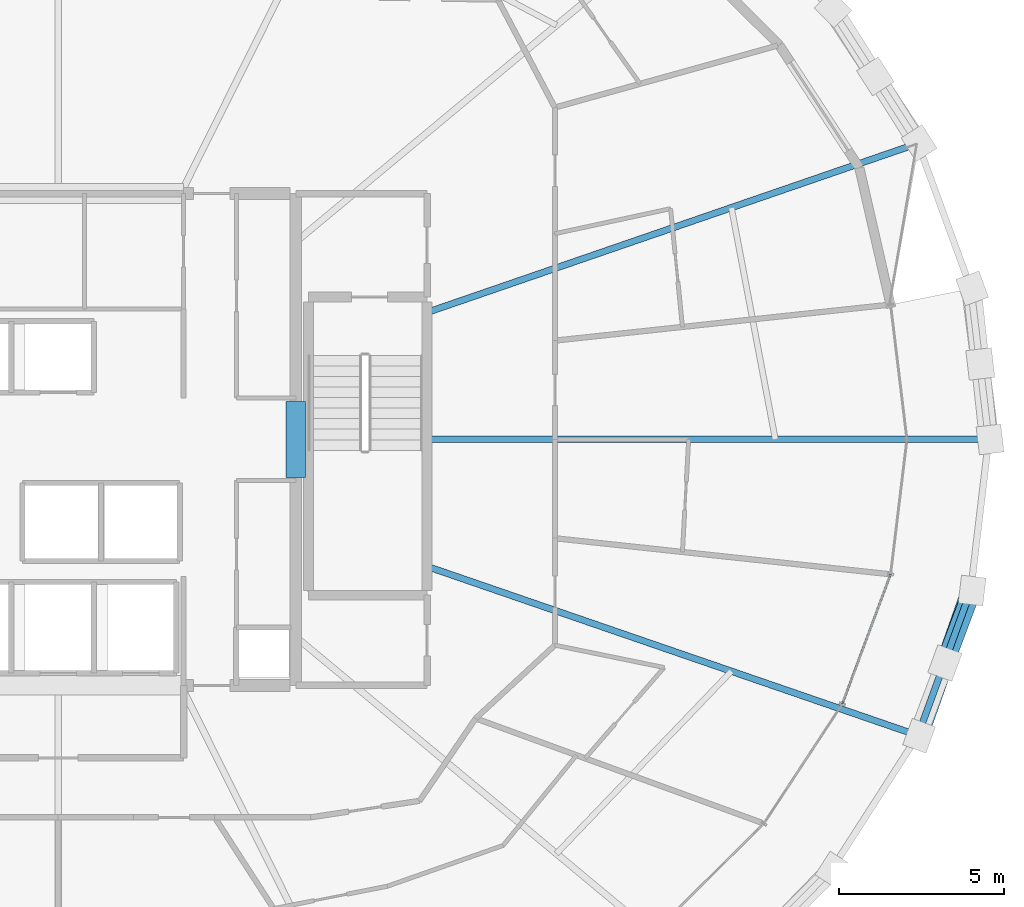
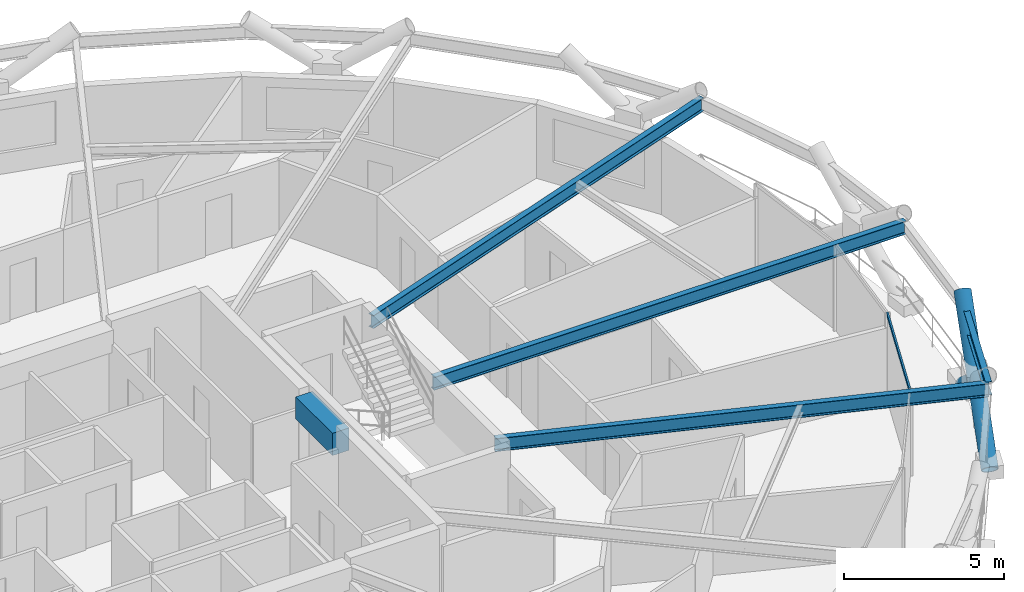
# One storey, part 10 of 19: 5 beams, 3 members, 1 element without a shape of its own.
"""IFC4 building model written with IfcOpenShell, lengths in metres."""

import ifcopenshell
import ifcopenshell.guid

model = None  # the IFC model being written
_history = None  # IfcOwnerHistory: only IFC2X3 demands one
_inside = {}  # id of a spatial element -> (the spatial element, [elements in it])
_under = {}  # id of a project, library or spatial element -> (it, [spatial elements below it])
_declared = {}  # id of a project -> (the project, [libraries it declares])
_typed = {}  # id of a type object -> (the type object, [elements of that type])
_made_of = {}  # id of a material, layer set ... -> (it, [elements and type objects made of it])


def new_model(schema):
    """Start an empty IFC model of exactly this schema.

    Asked for "IFC4X3", IfcOpenShell would pick the latest addendum, in which some entities
    have other attributes; the version numbers below select the first issue.
    IFC2X3 requires an IfcOwnerHistory on every rooted entity: one is made here for all.
    """
    global model, _history
    if schema == "IFC4X3":
        model = ifcopenshell.file(schema_version=(4, 3, 0, 0))
    else:
        model = ifcopenshell.file(schema=schema)
    _inside.clear()
    _under.clear()
    _declared.clear()
    _typed.clear()
    _made_of.clear()
    _history = None
    if model.schema == "IFC2X3":
        org = make("IfcOrganization", Name="unknown")
        user = make(
            "IfcPersonAndOrganization",
            ThePerson=make("IfcPerson", FamilyName="unknown"),
            TheOrganization=org,
        )
        app = make(
            "IfcApplication",
            ApplicationDeveloper=org,
            Version="unknown",
            ApplicationFullName="unknown",
            ApplicationIdentifier="unknown",
        )
        _history = make(
            "IfcOwnerHistory",
            OwningUser=user,
            OwningApplication=app,
            ChangeAction="ADDED",
            CreationDate=0,
        )
    return model


def make(cls, **values):
    """One entity of the class cls with the attributes given. An attribute that is None is left unset."""
    return model.create_entity(
        cls, **{name: value for name, value in values.items() if value is not None}
    )


def rooted(cls, **values):
    """An entity with a GlobalId (a new one), such as an element, a storey or a relation."""
    return make(cls, GlobalId=ifcopenshell.guid.new(), OwnerHistory=_history, **values)


def si_unit(unit_type, name, prefix=None):
    """IfcSIUnit, for example si_unit("LENGTHUNIT", "METRE", prefix="MILLI")."""
    return make("IfcSIUnit", UnitType=unit_type, Prefix=prefix, Name=name)


def assignment(units):
    """IfcUnitAssignment: the units of a project."""
    return None if units is None else make("IfcUnitAssignment", Units=units)


def point(xyz):
    """IfcCartesianPoint."""
    return None if xyz is None else make("IfcCartesianPoint", Coordinates=xyz)


def direction(xyz):
    """IfcDirection."""
    return None if xyz is None else make("IfcDirection", DirectionRatios=xyz)


def frame(location, z_axis=None, x_axis=None):
    """IfcAxis2Placement3D, a coordinate frame: its origin and axes. An axis left out is left unset."""
    return make(
        "IfcAxis2Placement3D",
        Location=point(location),
        Axis=direction(z_axis),
        RefDirection=direction(x_axis),
    )


def frame_2d(location, x_axis=None):
    """IfcAxis2Placement2D, a coordinate frame in the plane: its origin and x axis."""
    return make(
        "IfcAxis2Placement2D", Location=point(location), RefDirection=direction(x_axis)
    )


def origin():
    """The frame at (0, 0, 0) with its axes left unset."""
    return frame((0.0, 0.0, 0.0))


def origin_2d():
    """The frame at (0, 0) in the plane with its x axis left unset."""
    return frame_2d((0.0, 0.0))


def place(relative_to, where):
    """IfcLocalPlacement: puts the frame where relative to a parent placement (None: the world)."""
    return make(
        "IfcLocalPlacement", PlacementRelTo=relative_to, RelativePlacement=where
    )


def context(
    kind, dimensions, precision=None, world=None, true_north=None, identifier=None
):
    """IfcGeometricRepresentationContext, for example the 3D "Model" context."""
    return make(
        "IfcGeometricRepresentationContext",
        ContextIdentifier=identifier,
        ContextType=kind,
        CoordinateSpaceDimension=dimensions,
        Precision=precision,
        WorldCoordinateSystem=world,
        TrueNorth=true_north,
    )


def subcontext(parent, identifier, kind, view, scale=None):
    """IfcGeometricRepresentationSubContext, for example "Body" below "Model"."""
    return make(
        "IfcGeometricRepresentationSubContext",
        ContextIdentifier=identifier,
        ContextType=kind,
        ParentContext=parent,
        TargetScale=scale,
        TargetView=view,
    )


def project(units=None, contexts=None):
    """IfcProject with its units and contexts."""
    return rooted(
        "IfcProject",
        Name="project",
        RepresentationContexts=contexts,
        UnitsInContext=assignment(units),
    )


def spatial(cls, under=None, at=None, **own):
    """A site, building, storey or space (cls), placed at a placement, below another one or the project."""
    s = rooted(cls, ObjectPlacement=at, **own)
    if under is not None:
        _under.setdefault(under.id(), (under, []))[1].append(s)
    return s


def profile(cls, at=None, kind="AREA", **sizes):
    """A parametric profile (cls). Its sizes go by their IFC names, for example OverallWidth=200.0."""
    return make(cls, ProfileType=kind, Position=at, **sizes)


def rectangle(**sizes):
    """IfcRectangleProfileDef."""
    return profile("IfcRectangleProfileDef", **sizes)


def hollow_rectangle(**sizes):
    """IfcRectangleHollowProfileDef."""
    return profile("IfcRectangleHollowProfileDef", **sizes)


def hollow_circle(**sizes):
    """IfcCircleHollowProfileDef."""
    return profile("IfcCircleHollowProfileDef", **sizes)


def i_section(**sizes):
    """IfcIShapeProfileDef."""
    return profile("IfcIShapeProfileDef", **sizes)


def extrude(swept, where, along, depth):
    """IfcExtrudedAreaSolid: the profile swept, set in the frame where, extruded along a direction by depth."""
    return make(
        "IfcExtrudedAreaSolid",
        SweptArea=swept,
        Position=where,
        ExtrudedDirection=direction(along),
        Depth=depth,
    )


def shape(context_of_items, identifier, shape_type, items):
    """IfcShapeRepresentation: the items that make up one representation, for example the "Body"."""
    return make(
        "IfcShapeRepresentation",
        ContextOfItems=context_of_items,
        RepresentationIdentifier=identifier,
        RepresentationType=shape_type,
        Items=items,
    )


def material(Name=None, Category=None):
    """IfcMaterial."""
    return make("IfcMaterial", Name=Name, Category=Category)


def layer(
    of_material, thickness, ventilated=None, Name=None, Category=None, Priority=None
):
    """IfcMaterialLayer: one layer of a wall or slab, of a material (None: an air gap)."""
    return make(
        "IfcMaterialLayer",
        Material=of_material,
        LayerThickness=thickness,
        IsVentilated=ventilated,
        Name=Name,
        Category=Category,
        Priority=Priority,
    )


def layer_set(layers, Name=None):
    """IfcMaterialLayerSet."""
    return make("IfcMaterialLayerSet", MaterialLayers=layers, LayerSetName=Name)


def material_profile(
    of_material, cross_section, Name=None, Category=None, Priority=None
):
    """IfcMaterialProfile: a cross section and its material."""
    return make(
        "IfcMaterialProfile",
        Name=Name,
        Material=of_material,
        Profile=cross_section,
        Priority=Priority,
        Category=Category,
    )


def profile_set(profiles, Name=None, composite=None):
    """IfcMaterialProfileSet."""
    return make(
        "IfcMaterialProfileSet",
        Name=Name,
        MaterialProfiles=profiles,
        CompositeProfile=composite,
    )


def made_of(thing, what):
    """Note that an element or type object is made of a material, layer set ...; save() writes the relation."""
    if what is not None:
        _made_of.setdefault(what.id(), (what, []))[1].append(thing)
    return thing


def type_object(cls, material=None, **own):
    """A type object (cls), such as IfcWallType, which elements share."""
    return made_of(rooted(cls, **own), material)


def element(
    cls,
    number,
    at=None,
    inside=None,
    cuts=None,
    type_object=None,
    material=None,
    context=None,
    identifier="Body",
    shape_type=None,
    held_by="IfcProductDefinitionShape",
    body=None,
    shapes=None,
    **own,
):
    """One element of the class cls, such as IfcWall. Its Tag is "e" and its number.

    at: its placement. inside: the storey or other place that contains it. cuts: it is an
    opening in that element (IfcRelVoidsElement). A single representation is given by context,
    identifier, shape_type and body (its items); several are given by shapes. held_by: the class
    of the entity that holds the representations. save() writes the other relations.
    """
    e = rooted(cls, Tag="e%d" % number, ObjectPlacement=at, **own)
    if body is not None:
        shapes = [shape(context, identifier, shape_type, body)]
    if shapes is not None:
        e.Representation = make(held_by, Representations=shapes)
    if inside is not None:
        _inside.setdefault(inside.id(), (inside, []))[1].append(e)
    if cuts is not None:
        rooted(
            "IfcRelVoidsElement", RelatingBuildingElement=cuts, RelatedOpeningElement=e
        )
    if type_object is not None:
        _typed.setdefault(type_object.id(), (type_object, []))[1].append(e)
    return made_of(e, material)


def aggregate(whole, parts):
    """IfcRelAggregates: a whole, such as a stair, and the parts it consists of."""
    return rooted("IfcRelAggregates", RelatingObject=whole, RelatedObjects=parts)


def save(model, path):
    """Write the relations noted so far, then the file.

    IfcRelAggregates (storeys below a building ...), IfcRelContainedInSpatialStructure (elements
    in a storey), IfcRelDefinesByType, IfcRelAssociatesMaterial and IfcRelDeclares: one each for
    every whole, place, type object, material and project.
    """
    for whole, parts in _under.values():
        aggregate(whole, parts)
    for where, things in _inside.values():
        rooted(
            "IfcRelContainedInSpatialStructure",
            RelatedElements=things,
            RelatingStructure=where,
        )
    for kind, things in _typed.values():
        rooted("IfcRelDefinesByType", RelatedObjects=things, RelatingType=kind)
    for what, things in _made_of.values():
        rooted("IfcRelAssociatesMaterial", RelatedObjects=things, RelatingMaterial=what)
    for by, libraries in _declared.values():
        rooted("IfcRelDeclares", RelatingContext=by, RelatedDefinitions=libraries)
    model.write(path)


model = new_model("IFC4")

# Units and contexts
model_context = context("Model", 3, precision=1e-05, world=origin(), true_north=direction((0.0, 1.0)))
body_context = subcontext(model_context, "Body", "Model", "MODEL_VIEW")
ifc_project = project(units=[si_unit("LENGTHUNIT", "METRE"), si_unit("AREAUNIT", "SQUARE_METRE"), si_unit("VOLUMEUNIT", "CUBIC_METRE"), si_unit("PLANEANGLEUNIT", "RADIAN"), si_unit("MASSUNIT", "GRAM", prefix="KILO")], contexts=[model_context])

# Site, building, storey
site_placement = place(None, origin())
site = spatial("IfcSite", under=ifc_project, at=site_placement, CompositionType="ELEMENT")
building_placement = place(site_placement, origin())
building = spatial("IfcBuilding", under=site, at=building_placement, Name="Veldorina Hangang Commons", CompositionType="ELEMENT")
storey_placement = place(building_placement, frame((0.0, 0.0, 156.800048828125)))
storey = spatial("IfcBuildingStorey", under=building, at=storey_placement, Name="L40", CompositionType="ELEMENT", Elevation=156.800048828125)

# Beams
ifc_material_1 = material(Name="Concrete C60/75", Category="concrete")
ifc_material_profile_1 = material_profile(ifc_material_1, rectangle(XDim=0.60009765625, YDim=0.85009765625, at=origin_2d()), Name="RC-CB-600x850")
ifc_profile_set_1 = profile_set([ifc_material_profile_1], Name="Concrete C60/75")
beam_type_1 = type_object("IfcBeamType", Name="BM-CB850", PredefinedType="LINTEL", material=ifc_profile_set_1)
beam_1_placement = place(storey_placement, frame((39.199951171875, 22.85009765625, 2.925048828125), z_axis=(0.0, 1.0, 0.0), x_axis=(-1.0, 0.0, 0.0)))
element("IfcBeam", 1, at=beam_1_placement, inside=storey, type_object=beam_type_1, Name="L40 E core coupling lintel beam", PredefinedType="LINTEL", context=body_context, shape_type="SweptSolid", body=[
    extrude(rectangle(XDim=0.60009765625, YDim=0.85009765625, at=origin_2d()), origin(), (0.0, 0.0, 1.0), 2.2998046875),
])
ifc_material_2 = material(Name="Steel SM420-TMC", Category="steel")
ifc_material_profile_2 = material_profile(ifc_material_2, i_section(OverallWidth=0.199951171875, OverallDepth=0.5, WebThickness=0.010009765625, FlangeThickness=0.01611328125, FilletRadius=0.01611328125, at=origin_2d()), Name="H-500x200x10x16")
ifc_profile_set_2 = profile_set([ifc_material_profile_2], Name="Steel SM420-TMC")
beam_type_2 = type_object("IfcBeamType", Name="BM-FG500", PredefinedType="BEAM", material=ifc_profile_set_2)
beam_2_placement = place(storey_placement, frame((43.179931640625, 24.0, 3.099853515625), z_axis=(1.0, 0.0, 0.0), x_axis=(0.0, 1.0, 0.0)))
element("IfcBeam", 2, at=beam_2_placement, inside=storey, type_object=beam_type_2, Name="L40 radial floor girder 01", PredefinedType="BEAM", context=body_context, shape_type="SweptSolid", body=[
    extrude(i_section(OverallWidth=0.199951171875, OverallDepth=0.5, WebThickness=0.010009765625, FlangeThickness=0.01611328125, FilletRadius=0.01611328125, at=origin_2d()), origin(), (0.0, 0.0, 1.0), 17.015380859375),
])
for number, where, z_axis, x_axis, name in (
    (3, (43.179931640625, 27.849365234375, 3.099853515625), (0.945527793792, 0.32554138165, 0.0), (-0.32554138165, 0.945527793792, 0.0), "L40 radial floor girder 02"),
    (4, (43.179931640625, 20.150634765625, 3.099853515625), (0.945527793792, -0.32554138165, 0.0), (0.32554138165, 0.945527793792, 0.0), "L40 radial floor girder 16"),
):
    element("IfcBeam", number, at=place(storey_placement, frame(where, z_axis=z_axis, x_axis=x_axis)), inside=storey, type_object=beam_type_2, Name=name, PredefinedType="BEAM", context=body_context, shape_type="SweptSolid", body=[
        extrude(i_section(OverallWidth=0.199951171875, OverallDepth=0.5, WebThickness=0.010009765625, FlangeThickness=0.01611328125, FilletRadius=0.01611328125, at=origin_2d()), origin(), (0.0, 0.0, 1.0), 15.725830078125),
    ])
ifc_material_profile_3 = material_profile(ifc_material_2, i_section(OverallWidth=0.199951171875, OverallDepth=0.5, WebThickness=0.010009765625, FlangeThickness=0.01611328125, FilletRadius=0.01611328125, at=origin_2d()), Name="H-500x200x10x16")
ifc_profile_set_3 = profile_set([ifc_material_profile_3], Name="Steel SM420-TMC")
beam_type_3 = type_object("IfcBeamType", Name="BM-RB500", PredefinedType="BEAM", material=ifc_profile_set_3)
beam_3_placement = place(storey_placement, frame((58.049072265625, 15.03125, 3.099853515625), z_axis=(0.342831836601, 0.939396791464, 0.0), x_axis=(-0.939396791464, 0.342831836601, 0.0)))
element("IfcBeam", 5, at=beam_3_placement, inside=storey, type_object=beam_type_3, Name="L40 perimeter hoop ring beam 30", PredefinedType="BEAM", context=body_context, shape_type="SweptSolid", body=[
    extrude(i_section(OverallWidth=0.199951171875, OverallDepth=0.5, WebThickness=0.010009765625, FlangeThickness=0.01611328125, FilletRadius=0.01611328125, at=origin_2d()), origin(), (0.0, 0.0, 1.0), 4.68017578125),
])

# Curtain wall, member
ifc_material_3 = material(Name="Glass Low-E Triple IGU", Category="glass")
ifc_layer = layer(ifc_material_3, 0.179931640625)
ifc_layer_set = layer_set([ifc_layer], Name="Glass Low-E Triple IGU")
curtain_wall_type = type_object("IfcCurtainWallType", Name="CW-SYS-Z2", PredefinedType="NOTDEFINED", material=ifc_layer_set)
curtain_wall_placement = place(storey_placement, origin())
curtain_wall = element("IfcCurtainWall", 6, at=curtain_wall_placement, inside=storey, type_object=curtain_wall_type, Name="L40 unitised curtain wall CW-L40-R2", PredefinedType="NOTDEFINED")
ifc_material_4 = material(Name="Aluminium Anodized AA6063-T6", Category="aluminium")
ifc_material_profile_4 = material_profile(ifc_material_4, hollow_rectangle(XDim=0.06005859375, YDim=0.139892578125, WallThickness=0.00341796875, at=origin_2d()), Name="ALU-RHS-140x60x3.5")
ifc_profile_set_4 = profile_set([ifc_material_profile_4], Name="Aluminium Anodized AA6063-T6")
member_type_1 = type_object("IfcMemberType", Name="CW-TRN-140", PredefinedType="USERDEFINED", material=ifc_profile_set_4)
member_1_placement = place(storey_placement, frame((55.757568359375, 15.98486328125, 3.27001953125), z_axis=(0.348965648666, 0.937135516375, 0.0), x_axis=(-0.937135516375, 0.348965648666, 0.0)))
member_1 = element("IfcMember", 7, at=member_1_placement, type_object=member_type_1, Name="CW-L40-R2 facet 3 transom 1", ObjectType="TRANSOM", PredefinedType="USERDEFINED", context=body_context, shape_type="SweptSolid", body=[
    extrude(hollow_rectangle(XDim=0.06005859375, YDim=0.139892578125, WallThickness=0.00341796875, at=origin_2d()), origin(), (0.0, 0.0, 1.0), 4.19287109375),
])
aggregate(curtain_wall, [member_1])

# Members
ifc_material_profile_5 = material_profile(ifc_material_2, hollow_circle(Radius=0.27490234375, WallThickness=0.028076171875, at=origin_2d()), Name="CHS-550x28")
ifc_profile_set_5 = profile_set([ifc_material_profile_5], Name="Steel SM420-TMC")
member_type_2 = type_object("IfcMemberType", Name="DG-CHS550", PredefinedType="BRACE", material=ifc_profile_set_5)
member_2_placement = place(storey_placement, frame((58.085693359375, 15.0205078125, 0.0), z_axis=(0.264590678931, 0.746943292491, 0.609973352226), x_axis=(-0.942608057054, 0.333901259023, 0.0)))
element("IfcMember", 8, at=member_2_placement, inside=storey, type_object=member_type_2, Name="L40 continuous perimeter diagrid brace 30", PredefinedType="BRACE", context=body_context, shape_type="SweptSolid", body=[
    extrude(hollow_circle(Radius=0.27490234375, WallThickness=0.028076171875, at=origin_2d()), origin(), (0.0, 0.0, 1.0), 5.901611328125),
])
member_3_placement = place(storey_placement, frame((59.6923828125, 19.42236328125, 0.0), z_axis=(-0.279055719466, -0.742497856348, 0.608953888855), x_axis=(0.936072355381, -0.351807540412, 0.0)))
element("IfcMember", 9, at=member_3_placement, inside=storey, type_object=member_type_2, Name="L40 split perimeter diagrid lower brace 31", PredefinedType="BRACE", context=body_context, shape_type="SweptSolid", body=[
    extrude(hollow_circle(Radius=0.27490234375, WallThickness=0.028076171875, at=origin_2d()), origin(), (0.0, 0.0, 1.0), 2.9580078125),
])

save(model, "model.ifc")
